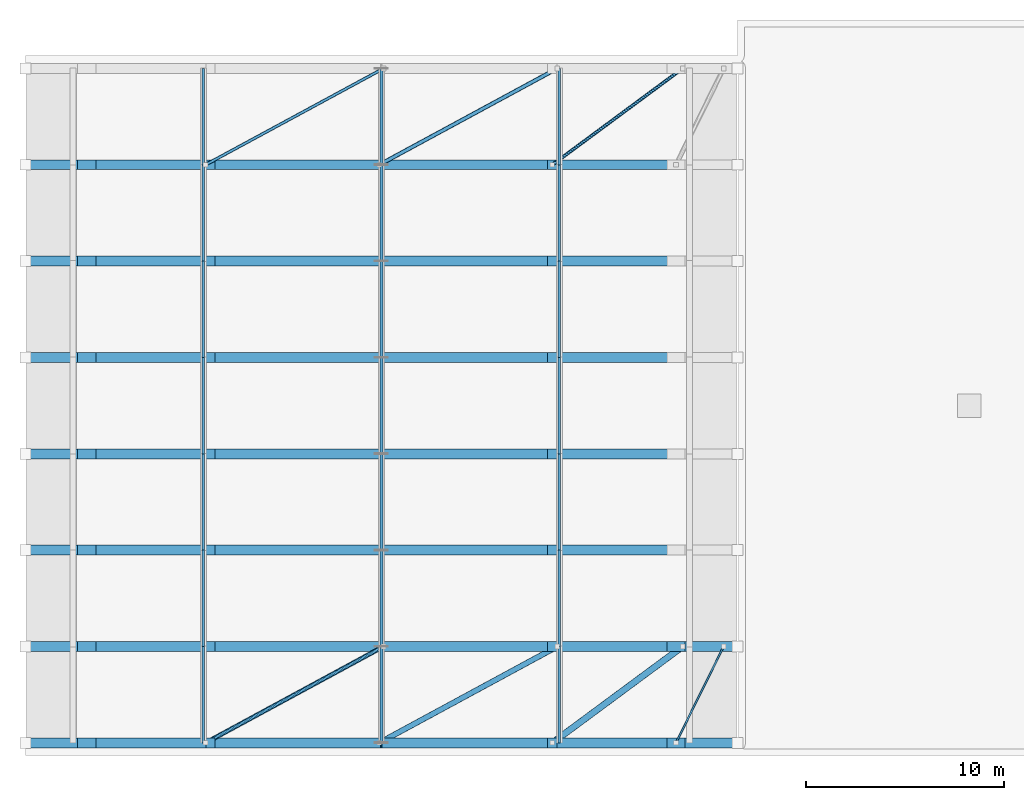
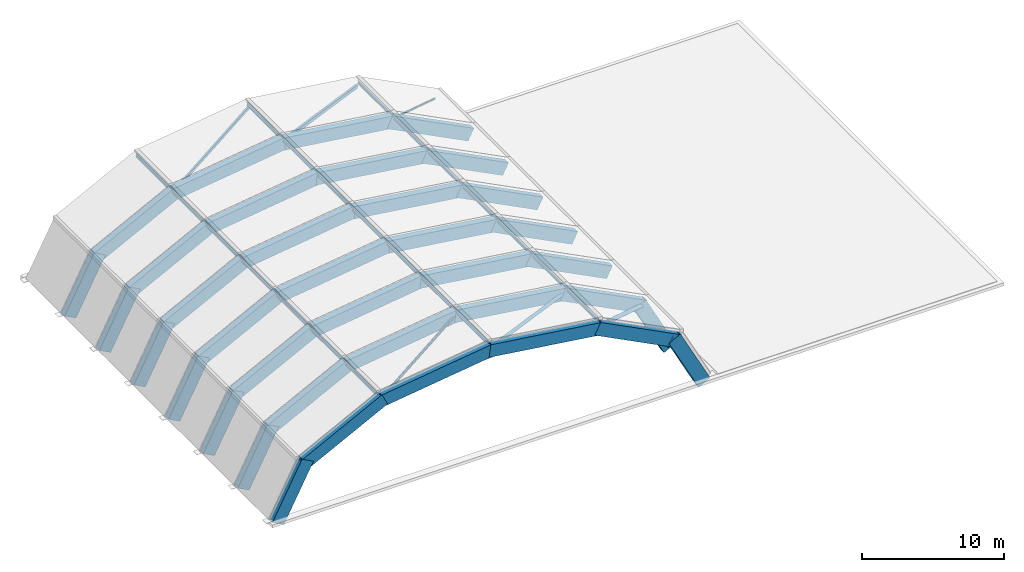
# One storey, part 1 of 4: 37 beams, 28 members.
"""IFC4 building model written with IfcOpenShell, lengths in metres."""

from ifc_helpers import new_model, si_unit, direction, frame, origin, origin_2d, place, context, subcontext, project, spatial, rectangle, hollow_rectangle, hollow_circle, i_section, extrude, material, material_profile, profile_set, type_object, element, save


model = new_model("IFC4")

# Units and contexts
model_context = context("Model", 3, precision=1e-05, world=origin(), true_north=direction((0.0, 1.0)))
body_context = subcontext(model_context, "Body", "Model", "MODEL_VIEW")
ifc_project = project(units=[si_unit("LENGTHUNIT", "METRE"), si_unit("AREAUNIT", "SQUARE_METRE"), si_unit("VOLUMEUNIT", "CUBIC_METRE"), si_unit("PLANEANGLEUNIT", "RADIAN"), si_unit("MASSUNIT", "GRAM", prefix="KILO")], contexts=[model_context])

# Site, building, storey
site_placement = place(None, origin())
site = spatial("IfcSite", under=ifc_project, at=site_placement, CompositionType="ELEMENT")
building_placement = place(site_placement, origin())
building = spatial("IfcBuilding", under=site, at=building_placement, Name="Mithqara Police Headquarters", CompositionType="ELEMENT")
storey_placement = place(building_placement, frame((0.0, 0.0, 35.39990234375)))
storey = spatial("IfcBuildingStorey", under=building, at=storey_placement, Name="ROOF", CompositionType="ELEMENT", Elevation=35.39990234375)

# Members
ifc_material_1 = material(Name="Steel S355JR", Category="steel")
ifc_material_profile_1 = material_profile(ifc_material_1, hollow_circle(Radius=0.084228515625, WallThickness=0.008056640625, at=origin_2d()), Name="CHS 168.3x8.0")
ifc_profile_set_1 = profile_set([ifc_material_profile_1], Name="Steel S355JR")
member_type_1 = type_object("IfcMemberType", Name="BRACE CHS168", PredefinedType="BRACE", material=ifc_profile_set_1)
member_1_placement = place(storey_placement, frame((135.24267578125, 108.478515625, 7.2685546875), z_axis=(0.743720948931, 0.549902094155, -0.380114241991), x_axis=(-0.594527606442, 0.804075198709, 0.0)))
element("IfcMember", 1, at=member_1_placement, inside=storey, type_object=member_type_1, Name="Command and Control Room Barrel Vault Vault Wind Brace Bay 7 Facet 5", PredefinedType="BRACE", context=body_context, shape_type="SweptSolid", body=[
    extrude(hollow_circle(Radius=0.084228515625, WallThickness=0.008056640625, at=origin_2d()), origin(), (0.0, 0.0, 1.0), 8.85888671875),
])
ifc_material_profile_2 = material_profile(ifc_material_1, hollow_circle(Radius=0.109619140625, WallThickness=0.010009765625, at=origin_2d()), Name="CHS 219.1x10.0")
ifc_profile_set_2 = profile_set([ifc_material_profile_2], Name="Steel S355JR")
member_type_2 = type_object("IfcMemberType", Name="BRACE CHS219", PredefinedType="BRACE", material=ifc_profile_set_2)
member_2_placement = place(storey_placement, frame((117.70654296875, 79.25, 7.189697265625), z_axis=(0.873130722221, 0.472590530069, 0.119586507609), x_axis=(-0.476006454939, 0.87944178594, 0.0)))
element("IfcMember", 2, at=member_2_placement, inside=storey, type_object=member_type_2, Name="Command and Control Room Barrel Vault Vault Wind Brace Bay 1 Facet 3", PredefinedType="BRACE", context=body_context, shape_type="SweptSolid", body=[
    extrude(hollow_circle(Radius=0.109619140625, WallThickness=0.010009765625, at=origin_2d()), origin(), (0.0, 0.0, 1.0), 10.3076171875),
])
ifc_material_profile_3 = material_profile(ifc_material_1, hollow_circle(Radius=0.136474609375, WallThickness=0.012451171875, at=origin_2d()), Name="CHS 273.0x12.5")
ifc_profile_set_3 = profile_set([ifc_material_profile_3], Name="Steel S355JR")
member_type_3 = type_object("IfcMemberType", Name="BRACE CHS273", PredefinedType="BRACE", material=ifc_profile_set_3)
member_3_placement = place(storey_placement, frame((126.493408203125, 79.25, 8.42236328125), z_axis=(0.873130722221, 0.472590530069, -0.119586507609), x_axis=(-0.476006454939, 0.87944178594, 0.0)))
element("IfcMember", 3, at=member_3_placement, inside=storey, type_object=member_type_3, Name="Command and Control Room Barrel Vault Vault Wind Brace Bay 1 Facet 4", PredefinedType="BRACE", context=body_context, shape_type="SweptSolid", body=[
    extrude(hollow_circle(Radius=0.136474609375, WallThickness=0.012451171875, at=origin_2d()), origin(), (0.0, 0.0, 1.0), 10.3076171875),
])
ifc_material_profile_4 = material_profile(ifc_material_1, hollow_circle(Radius=0.161865234375, WallThickness=0.012451171875, at=origin_2d()), Name="CHS 323.9x12.5")
ifc_profile_set_4 = profile_set([ifc_material_profile_4], Name="Steel S355JR")
member_type_4 = type_object("IfcMemberType", Name="BRACE CHS324", PredefinedType="BRACE", material=ifc_profile_set_4)
member_4_placement = place(storey_placement, frame((135.24267578125, 79.25, 7.2685546875), z_axis=(0.743732219602, 0.549882868705, -0.380120002408), x_axis=(-0.594508342421, 0.804089442035, 0.0)))
element("IfcMember", 4, at=member_4_placement, inside=storey, type_object=member_type_4, Name="Command and Control Room Barrel Vault Vault Wind Brace Bay 1 Facet 5", PredefinedType="BRACE", context=body_context, shape_type="SweptSolid", body=[
    extrude(hollow_circle(Radius=0.161865234375, WallThickness=0.012451171875, at=origin_2d()), origin(), (0.0, 0.0, 1.0), 8.85888671875),
])
ifc_material_profile_5 = material_profile(ifc_material_1, hollow_rectangle(XDim=0.10009765625, YDim=0.199951171875, WallThickness=0.008056640625, InnerFilletRadius=0.008056640625, OuterFilletRadius=0.01611328125, at=origin_2d()), Name="RHS 200x100x8.0")
ifc_profile_set_5 = profile_set([ifc_material_profile_5], Name="Steel S355JR")
member_type_5 = type_object("IfcMemberType", Name="BRACE RHS200", PredefinedType="BRACE", material=ifc_profile_set_5)
member_5_placement = place(storey_placement, frame((141.4931640625, 79.25, 4.235595703125), z_axis=(0.338669585555, 0.684093363087, -0.646002463153), x_axis=(-0.896189841015, 0.443670788831, 0.0)))
element("IfcMember", 5, at=member_5_placement, inside=storey, type_object=member_type_5, Name="Command and Control Room Barrel Vault Vault Wind Brace Bay 1 Facet 6", PredefinedType="BRACE", context=body_context, shape_type="SweptSolid", body=[
    extrude(hollow_rectangle(XDim=0.10009765625, YDim=0.199951171875, WallThickness=0.008056640625, InnerFilletRadius=0.008056640625, OuterFilletRadius=0.01611328125, at=origin_2d()), origin(), (0.0, 0.0, 1.0), 7.120849609375),
])
ifc_material_profile_6 = material_profile(ifc_material_1, hollow_rectangle(XDim=0.14990234375, YDim=0.25, WallThickness=0.010009765625, InnerFilletRadius=0.010009765625, OuterFilletRadius=0.02001953125, at=origin_2d()), Name="RHS 250x150x10.0")
ifc_profile_set_6 = profile_set([ifc_material_profile_6], Name="Steel S355JR")
member_type_6 = type_object("IfcMemberType", Name="BRACE RHS250", PredefinedType="BRACE", material=ifc_profile_set_6)
member_6_placement = place(storey_placement, frame((117.70654296875, 108.478515625, 7.189697265625), z_axis=(0.873120948843, 0.472608925055, 0.119585169019), x_axis=(-0.476024905579, 0.8794317991, 0.0)))
element("IfcMember", 6, at=member_6_placement, inside=storey, type_object=member_type_6, Name="Command and Control Room Barrel Vault Vault Wind Brace Bay 7 Facet 3", PredefinedType="BRACE", context=body_context, shape_type="SweptSolid", body=[
    extrude(hollow_rectangle(XDim=0.14990234375, YDim=0.25, WallThickness=0.010009765625, InnerFilletRadius=0.010009765625, OuterFilletRadius=0.02001953125, at=origin_2d()), origin(), (0.0, 0.0, 1.0), 10.307861328125),
])
ifc_material_profile_7 = material_profile(ifc_material_1, hollow_rectangle(XDim=0.199951171875, YDim=0.300048828125, WallThickness=0.012451171875, InnerFilletRadius=0.012451171875, OuterFilletRadius=0.02490234375, at=origin_2d()), Name="RHS 300x200x12.5")
ifc_profile_set_7 = profile_set([ifc_material_profile_7], Name="Steel S355JR")
member_type_7 = type_object("IfcMemberType", Name="BRACE RHS300", PredefinedType="BRACE", material=ifc_profile_set_7)
member_7_placement = place(storey_placement, frame((126.493408203125, 108.478515625, 8.42236328125), z_axis=(0.873120948843, 0.472608925055, -0.119585169019), x_axis=(-0.476024905579, 0.8794317991, 0.0)))
element("IfcMember", 7, at=member_7_placement, inside=storey, type_object=member_type_7, Name="Command and Control Room Barrel Vault Vault Wind Brace Bay 7 Facet 4", PredefinedType="BRACE", context=body_context, shape_type="SweptSolid", body=[
    extrude(hollow_rectangle(XDim=0.199951171875, YDim=0.300048828125, WallThickness=0.012451171875, InnerFilletRadius=0.012451171875, OuterFilletRadius=0.02490234375, at=origin_2d()), origin(), (0.0, 0.0, 1.0), 10.307861328125),
])
ifc_material_profile_8 = material_profile(ifc_material_1, i_section(OverallWidth=0.1201171875, OverallDepth=0.239990234375, WebThickness=0.006103515625, FlangeThickness=0.009765625, FilletRadius=0.014892578125, at=origin_2d()), Name="IPE 240")
ifc_profile_set_8 = profile_set([ifc_material_profile_8], Name="Steel S355JR")
member_type_8 = type_object("IfcMemberType", Name="PURLIN IPE240", PredefinedType="PURLIN", material=ifc_profile_set_8)
for number, where, z_axis, x_axis, name in (
    (8, (117.60009765625, 79.25, 7.539794921875), (0.0, 1.0, 0.0), (-1.0, 0.0, 0.0), "Command and Control Room Barrel Vault Roof Purlin Bay 1.2"),
    (9, (135.60009765625, 79.25, 7.539794921875), (0.0, 1.0, 0.0), (-1.0, 0.0, 0.0), "Command and Control Room Barrel Vault Roof Purlin Bay 1.4"),
):
    element("IfcMember", number, at=place(storey_placement, frame(where, z_axis=z_axis, x_axis=x_axis)), inside=storey, type_object=member_type_8, Name=name, PredefinedType="PURLIN", context=body_context, shape_type="SweptSolid", body=[
        extrude(i_section(OverallWidth=0.1201171875, OverallDepth=0.239990234375, WebThickness=0.006103515625, FlangeThickness=0.009765625, FilletRadius=0.014892578125, at=origin_2d()), origin(), (0.0, 0.0, 1.0), 4.871337890625),
    ])
for number, where, z_axis, x_axis, name in (
    (10, (117.60009765625, 84.121337890625, 7.539794921875), (0.0, 1.0, 0.0), (-1.0, 0.0, 0.0), "Command and Control Room Barrel Vault Roof Purlin Bay 2.2"),
    (11, (135.60009765625, 84.121337890625, 7.539794921875), (0.0, 1.0, 0.0), (-1.0, 0.0, 0.0), "Command and Control Room Barrel Vault Roof Purlin Bay 2.4"),
):
    element("IfcMember", number, at=place(storey_placement, frame(where, z_axis=z_axis, x_axis=x_axis)), inside=storey, type_object=member_type_8, Name=name, PredefinedType="PURLIN", context=body_context, shape_type="SweptSolid", body=[
        extrude(i_section(OverallWidth=0.1201171875, OverallDepth=0.239990234375, WebThickness=0.006103515625, FlangeThickness=0.009765625, FilletRadius=0.014892578125, at=origin_2d()), origin(), (0.0, 0.0, 1.0), 4.87158203125),
    ])
for number, where, z_axis, x_axis, name in (
    (12, (117.60009765625, 88.992919921875, 7.539794921875), (0.0, 1.0, 0.0), (-1.0, 0.0, 0.0), "Command and Control Room Barrel Vault Roof Purlin Bay 3.2"),
    (13, (135.60009765625, 88.992919921875, 7.539794921875), (0.0, 1.0, 0.0), (-1.0, 0.0, 0.0), "Command and Control Room Barrel Vault Roof Purlin Bay 3.4"),
    (14, (117.60009765625, 93.8642578125, 7.539794921875), (0.0, 1.0, 0.0), (-1.0, 0.0, 0.0), "Command and Control Room Barrel Vault Roof Purlin Bay 4.2"),
    (15, (135.60009765625, 93.8642578125, 7.539794921875), (0.0, 1.0, 0.0), (-1.0, 0.0, 0.0), "Command and Control Room Barrel Vault Roof Purlin Bay 4.4"),
):
    element("IfcMember", number, at=place(storey_placement, frame(where, z_axis=z_axis, x_axis=x_axis)), inside=storey, type_object=member_type_8, Name=name, PredefinedType="PURLIN", context=body_context, shape_type="SweptSolid", body=[
        extrude(i_section(OverallWidth=0.1201171875, OverallDepth=0.239990234375, WebThickness=0.006103515625, FlangeThickness=0.009765625, FilletRadius=0.014892578125, at=origin_2d()), origin(), (0.0, 0.0, 1.0), 4.871337890625),
    ])
for number, where, z_axis, x_axis, name in (
    (16, (117.60009765625, 98.735595703125, 7.539794921875), (0.0, 1.0, 0.0), (-1.0, 0.0, 0.0), "Command and Control Room Barrel Vault Roof Purlin Bay 5.2"),
    (17, (135.60009765625, 98.735595703125, 7.539794921875), (0.0, 1.0, 0.0), (-1.0, 0.0, 0.0), "Command and Control Room Barrel Vault Roof Purlin Bay 5.4"),
):
    element("IfcMember", number, at=place(storey_placement, frame(where, z_axis=z_axis, x_axis=x_axis)), inside=storey, type_object=member_type_8, Name=name, PredefinedType="PURLIN", context=body_context, shape_type="SweptSolid", body=[
        extrude(i_section(OverallWidth=0.1201171875, OverallDepth=0.239990234375, WebThickness=0.006103515625, FlangeThickness=0.009765625, FilletRadius=0.014892578125, at=origin_2d()), origin(), (0.0, 0.0, 1.0), 4.87158203125),
    ])
for number, where, z_axis, x_axis, name in (
    (18, (117.60009765625, 103.607177734375, 7.539794921875), (0.0, 1.0, 0.0), (-1.0, 0.0, 0.0), "Command and Control Room Barrel Vault Roof Purlin Bay 6.2"),
    (19, (135.60009765625, 103.607177734375, 7.539794921875), (0.0, 1.0, 0.0), (-1.0, 0.0, 0.0), "Command and Control Room Barrel Vault Roof Purlin Bay 6.4"),
):
    element("IfcMember", number, at=place(storey_placement, frame(where, z_axis=z_axis, x_axis=x_axis)), inside=storey, type_object=member_type_8, Name=name, PredefinedType="PURLIN", context=body_context, shape_type="SweptSolid", body=[
        extrude(i_section(OverallWidth=0.1201171875, OverallDepth=0.239990234375, WebThickness=0.006103515625, FlangeThickness=0.009765625, FilletRadius=0.014892578125, at=origin_2d()), origin(), (0.0, 0.0, 1.0), 4.871337890625),
    ])
for number, where, z_axis, x_axis, name in (
    (20, (117.60009765625, 108.478515625, 7.539794921875), (0.0, 1.0, 0.0), (-1.0, 0.0, 0.0), "Command and Control Room Barrel Vault Roof Purlin Bay 7.2"),
    (21, (135.60009765625, 108.478515625, 7.539794921875), (0.0, 1.0, 0.0), (-1.0, 0.0, 0.0), "Command and Control Room Barrel Vault Roof Purlin Bay 7.4"),
):
    element("IfcMember", number, at=place(storey_placement, frame(where, z_axis=z_axis, x_axis=x_axis)), inside=storey, type_object=member_type_8, Name=name, PredefinedType="PURLIN", context=body_context, shape_type="SweptSolid", body=[
        extrude(i_section(OverallWidth=0.1201171875, OverallDepth=0.239990234375, WebThickness=0.006103515625, FlangeThickness=0.009765625, FilletRadius=0.014892578125, at=origin_2d()), origin(), (0.0, 0.0, 1.0), 4.87158203125),
    ])
ifc_material_profile_9 = material_profile(ifc_material_1, i_section(OverallWidth=0.135009765625, OverallDepth=0.27001953125, WebThickness=0.006591796875, FlangeThickness=0.01025390625, FilletRadius=0.014892578125, at=origin_2d()), Name="IPE 270")
ifc_profile_set_9 = profile_set([ifc_material_profile_9], Name="Steel S355JR")
member_type_9 = type_object("IfcMemberType", Name="PURLIN IPE270", PredefinedType="PURLIN", material=ifc_profile_set_9)
member_8_placement = place(storey_placement, frame((126.60009765625, 79.25, 8.8037109375), z_axis=(0.0, 1.0, 0.0), x_axis=(-1.0, 0.0, 0.0)))
element("IfcMember", 22, at=member_8_placement, inside=storey, type_object=member_type_9, Name="Command and Control Room Barrel Vault Roof Purlin Bay 1.3", PredefinedType="PURLIN", context=body_context, shape_type="SweptSolid", body=[
    extrude(i_section(OverallWidth=0.135009765625, OverallDepth=0.27001953125, WebThickness=0.006591796875, FlangeThickness=0.01025390625, FilletRadius=0.014892578125, at=origin_2d()), origin(), (0.0, 0.0, 1.0), 4.871337890625),
])
member_9_placement = place(storey_placement, frame((126.60009765625, 84.121337890625, 8.8037109375), z_axis=(0.0, 1.0, 0.0), x_axis=(-1.0, 0.0, 0.0)))
element("IfcMember", 23, at=member_9_placement, inside=storey, type_object=member_type_9, Name="Command and Control Room Barrel Vault Roof Purlin Bay 2.3", PredefinedType="PURLIN", context=body_context, shape_type="SweptSolid", body=[
    extrude(i_section(OverallWidth=0.135009765625, OverallDepth=0.27001953125, WebThickness=0.006591796875, FlangeThickness=0.01025390625, FilletRadius=0.014892578125, at=origin_2d()), origin(), (0.0, 0.0, 1.0), 4.87158203125),
])
for number, where, z_axis, x_axis, name in (
    (24, (126.60009765625, 88.992919921875, 8.8037109375), (0.0, 1.0, 0.0), (-1.0, 0.0, 0.0), "Command and Control Room Barrel Vault Roof Purlin Bay 3.3"),
    (25, (126.60009765625, 93.8642578125, 8.8037109375), (0.0, 1.0, 0.0), (-1.0, 0.0, 0.0), "Command and Control Room Barrel Vault Roof Purlin Bay 4.3"),
):
    element("IfcMember", number, at=place(storey_placement, frame(where, z_axis=z_axis, x_axis=x_axis)), inside=storey, type_object=member_type_9, Name=name, PredefinedType="PURLIN", context=body_context, shape_type="SweptSolid", body=[
        extrude(i_section(OverallWidth=0.135009765625, OverallDepth=0.27001953125, WebThickness=0.006591796875, FlangeThickness=0.01025390625, FilletRadius=0.014892578125, at=origin_2d()), origin(), (0.0, 0.0, 1.0), 4.871337890625),
    ])
member_10_placement = place(storey_placement, frame((126.60009765625, 98.735595703125, 8.8037109375), z_axis=(0.0, 1.0, 0.0), x_axis=(-1.0, 0.0, 0.0)))
element("IfcMember", 26, at=member_10_placement, inside=storey, type_object=member_type_9, Name="Command and Control Room Barrel Vault Roof Purlin Bay 5.3", PredefinedType="PURLIN", context=body_context, shape_type="SweptSolid", body=[
    extrude(i_section(OverallWidth=0.135009765625, OverallDepth=0.27001953125, WebThickness=0.006591796875, FlangeThickness=0.01025390625, FilletRadius=0.014892578125, at=origin_2d()), origin(), (0.0, 0.0, 1.0), 4.87158203125),
])
member_11_placement = place(storey_placement, frame((126.60009765625, 103.607177734375, 8.8037109375), z_axis=(0.0, 1.0, 0.0), x_axis=(-1.0, 0.0, 0.0)))
element("IfcMember", 27, at=member_11_placement, inside=storey, type_object=member_type_9, Name="Command and Control Room Barrel Vault Roof Purlin Bay 6.3", PredefinedType="PURLIN", context=body_context, shape_type="SweptSolid", body=[
    extrude(i_section(OverallWidth=0.135009765625, OverallDepth=0.27001953125, WebThickness=0.006591796875, FlangeThickness=0.01025390625, FilletRadius=0.014892578125, at=origin_2d()), origin(), (0.0, 0.0, 1.0), 4.871337890625),
])
member_12_placement = place(storey_placement, frame((126.60009765625, 108.478515625, 8.8037109375), z_axis=(0.0, 1.0, 0.0), x_axis=(-1.0, 0.0, 0.0)))
element("IfcMember", 28, at=member_12_placement, inside=storey, type_object=member_type_9, Name="Command and Control Room Barrel Vault Roof Purlin Bay 7.3", PredefinedType="PURLIN", context=body_context, shape_type="SweptSolid", body=[
    extrude(i_section(OverallWidth=0.135009765625, OverallDepth=0.27001953125, WebThickness=0.006591796875, FlangeThickness=0.01025390625, FilletRadius=0.014892578125, at=origin_2d()), origin(), (0.0, 0.0, 1.0), 4.87158203125),
])

# Beams
ifc_material_2 = material(Name="Concrete C50/60", Category="concrete")
ifc_material_profile_10 = material_profile(ifc_material_2, rectangle(XDim=0.5, YDim=1.050048828125, at=origin_2d()), Name="RIB 500x1050")
ifc_profile_set_10 = profile_set([ifc_material_profile_10], Name="Concrete C50/60")
beam_type = type_object("IfcBeamType", Name="VAULT RIB 500X1050", PredefinedType="BEAM", material=ifc_profile_set_10)
beam_1_placement = place(storey_placement, frame((109.29541015625, 79.25, -0.364501953125), z_axis=(0.464279223373, 0.0, 0.885688885977), x_axis=(0.0, 1.0, 0.0)))
element("IfcBeam", 29, at=beam_1_placement, inside=storey, type_object=beam_type, Name="Command and Control Room Barrel Vault Arch Rib 1 Chord 1", PredefinedType="BEAM", context=body_context, shape_type="SweptSolid", body=[
    extrude(rectangle(XDim=0.5, YDim=1.050048828125, at=origin_2d()), origin(), (0.0, 0.0, 1.0), 5.19384765625),
])
beam_2_placement = place(storey_placement, frame((111.368896484375, 79.25, 3.901123046875), z_axis=(0.890432602167, 0.0, 0.455115129389), x_axis=(0.0, 1.0, 0.0)))
element("IfcBeam", 30, at=beam_2_placement, inside=storey, type_object=beam_type, Name="Command and Control Room Barrel Vault Arch Rib 1 Chord 2", PredefinedType="BEAM", context=body_context, shape_type="SweptSolid", body=[
    extrude(rectangle(XDim=0.5, YDim=1.050048828125, at=origin_2d()), origin(), (0.0, 0.0, 1.0), 7.399169921875),
])
for number, where, z_axis, x_axis, name in (
    (31, (117.70654296875, 79.25, 7.189697265625), (0.990750513931, 0.0, 0.135696054276), (0.0, 1.0, 0.0), "Command and Control Room Barrel Vault Arch Rib 1 Chord 3"),
    (32, (126.493408203125, 79.25, 8.42236328125), (0.990750513931, 0.0, -0.135696054276), (0.0, 1.0, 0.0), "Command and Control Room Barrel Vault Arch Rib 1 Chord 4"),
):
    element("IfcBeam", number, at=place(storey_placement, frame(where, z_axis=z_axis, x_axis=x_axis)), inside=storey, type_object=beam_type, Name=name, PredefinedType="BEAM", context=body_context, shape_type="SweptSolid", body=[
        extrude(rectangle(XDim=0.5, YDim=1.050048828125, at=origin_2d()), origin(), (0.0, 0.0, 1.0), 9.083984375),
    ])
beam_3_placement = place(storey_placement, frame((135.24267578125, 79.25, 7.2685546875), z_axis=(0.890439436339, 0.0, -0.455101758085), x_axis=(0.0, 1.0, 0.0)))
element("IfcBeam", 33, at=beam_3_placement, inside=storey, type_object=beam_type, Name="Command and Control Room Barrel Vault Arch Rib 1 Chord 5", PredefinedType="BEAM", context=body_context, shape_type="SweptSolid", body=[
    extrude(rectangle(XDim=0.5, YDim=1.050048828125, at=origin_2d()), origin(), (0.0, 0.0, 1.0), 7.3994140625),
])
for number, where, z_axis, x_axis, name in (
    (34, (141.4931640625, 79.25, 4.235595703125), (0.464316095855, 0.0, -0.885669556398), (0.0, 1.0, 0.0), "Command and Control Room Barrel Vault Arch Rib 1 Chord 6"),
    (35, (109.29541015625, 84.121337890625, -0.364501953125), (0.464279223373, 0.0, 0.885688885977), (0.0, 1.0, 0.0), "Command and Control Room Barrel Vault Arch Rib 2 Chord 1"),
):
    element("IfcBeam", number, at=place(storey_placement, frame(where, z_axis=z_axis, x_axis=x_axis)), inside=storey, type_object=beam_type, Name=name, PredefinedType="BEAM", context=body_context, shape_type="SweptSolid", body=[
        extrude(rectangle(XDim=0.5, YDim=1.050048828125, at=origin_2d()), origin(), (0.0, 0.0, 1.0), 5.19384765625),
    ])
beam_4_placement = place(storey_placement, frame((111.368896484375, 84.121337890625, 3.901123046875), z_axis=(0.890432602167, 0.0, 0.455115129389), x_axis=(0.0, 1.0, 0.0)))
element("IfcBeam", 36, at=beam_4_placement, inside=storey, type_object=beam_type, Name="Command and Control Room Barrel Vault Arch Rib 2 Chord 2", PredefinedType="BEAM", context=body_context, shape_type="SweptSolid", body=[
    extrude(rectangle(XDim=0.5, YDim=1.050048828125, at=origin_2d()), origin(), (0.0, 0.0, 1.0), 7.399169921875),
])
for number, where, z_axis, x_axis, name in (
    (37, (117.70654296875, 84.121337890625, 7.189697265625), (0.990750513931, 0.0, 0.135696054276), (0.0, 1.0, 0.0), "Command and Control Room Barrel Vault Arch Rib 2 Chord 3"),
    (38, (126.493408203125, 84.121337890625, 8.42236328125), (0.990750513931, 0.0, -0.135696054276), (0.0, 1.0, 0.0), "Command and Control Room Barrel Vault Arch Rib 2 Chord 4"),
):
    element("IfcBeam", number, at=place(storey_placement, frame(where, z_axis=z_axis, x_axis=x_axis)), inside=storey, type_object=beam_type, Name=name, PredefinedType="BEAM", context=body_context, shape_type="SweptSolid", body=[
        extrude(rectangle(XDim=0.5, YDim=1.050048828125, at=origin_2d()), origin(), (0.0, 0.0, 1.0), 9.083984375),
    ])
beam_5_placement = place(storey_placement, frame((135.24267578125, 84.121337890625, 7.2685546875), z_axis=(0.890439436339, 0.0, -0.455101758085), x_axis=(0.0, 1.0, 0.0)))
element("IfcBeam", 39, at=beam_5_placement, inside=storey, type_object=beam_type, Name="Command and Control Room Barrel Vault Arch Rib 2 Chord 5", PredefinedType="BEAM", context=body_context, shape_type="SweptSolid", body=[
    extrude(rectangle(XDim=0.5, YDim=1.050048828125, at=origin_2d()), origin(), (0.0, 0.0, 1.0), 7.3994140625),
])
for number, where, z_axis, x_axis, name in (
    (40, (141.4931640625, 84.121337890625, 4.235595703125), (0.464316095855, 0.0, -0.885669556398), (0.0, 1.0, 0.0), "Command and Control Room Barrel Vault Arch Rib 2 Chord 6"),
    (41, (109.29541015625, 88.992919921875, -0.364501953125), (0.464279223373, 0.0, 0.885688885977), (0.0, 1.0, 0.0), "Command and Control Room Barrel Vault Arch Rib 3 Chord 1"),
):
    element("IfcBeam", number, at=place(storey_placement, frame(where, z_axis=z_axis, x_axis=x_axis)), inside=storey, type_object=beam_type, Name=name, PredefinedType="BEAM", context=body_context, shape_type="SweptSolid", body=[
        extrude(rectangle(XDim=0.5, YDim=1.050048828125, at=origin_2d()), origin(), (0.0, 0.0, 1.0), 5.19384765625),
    ])
beam_6_placement = place(storey_placement, frame((111.368896484375, 88.992919921875, 3.901123046875), z_axis=(0.890432602167, 0.0, 0.455115129389), x_axis=(0.0, 1.0, 0.0)))
element("IfcBeam", 42, at=beam_6_placement, inside=storey, type_object=beam_type, Name="Command and Control Room Barrel Vault Arch Rib 3 Chord 2", PredefinedType="BEAM", context=body_context, shape_type="SweptSolid", body=[
    extrude(rectangle(XDim=0.5, YDim=1.050048828125, at=origin_2d()), origin(), (0.0, 0.0, 1.0), 7.399169921875),
])
for number, where, z_axis, x_axis, name in (
    (43, (117.70654296875, 88.992919921875, 7.189697265625), (0.990750513931, 0.0, 0.135696054276), (0.0, 1.0, 0.0), "Command and Control Room Barrel Vault Arch Rib 3 Chord 3"),
    (44, (126.493408203125, 88.992919921875, 8.42236328125), (0.990750513931, 0.0, -0.135696054276), (0.0, 1.0, 0.0), "Command and Control Room Barrel Vault Arch Rib 3 Chord 4"),
):
    element("IfcBeam", number, at=place(storey_placement, frame(where, z_axis=z_axis, x_axis=x_axis)), inside=storey, type_object=beam_type, Name=name, PredefinedType="BEAM", context=body_context, shape_type="SweptSolid", body=[
        extrude(rectangle(XDim=0.5, YDim=1.050048828125, at=origin_2d()), origin(), (0.0, 0.0, 1.0), 9.083984375),
    ])
beam_7_placement = place(storey_placement, frame((135.24267578125, 88.992919921875, 7.2685546875), z_axis=(0.890439436339, 0.0, -0.455101758085), x_axis=(0.0, 1.0, 0.0)))
element("IfcBeam", 45, at=beam_7_placement, inside=storey, type_object=beam_type, Name="Command and Control Room Barrel Vault Arch Rib 3 Chord 5", PredefinedType="BEAM", context=body_context, shape_type="SweptSolid", body=[
    extrude(rectangle(XDim=0.5, YDim=1.050048828125, at=origin_2d()), origin(), (0.0, 0.0, 1.0), 7.3994140625),
])
beam_8_placement = place(storey_placement, frame((109.29541015625, 93.8642578125, -0.364501953125), z_axis=(0.464279223373, 0.0, 0.885688885977), x_axis=(0.0, 1.0, 0.0)))
element("IfcBeam", 46, at=beam_8_placement, inside=storey, type_object=beam_type, Name="Command and Control Room Barrel Vault Arch Rib 4 Chord 1", PredefinedType="BEAM", context=body_context, shape_type="SweptSolid", body=[
    extrude(rectangle(XDim=0.5, YDim=1.050048828125, at=origin_2d()), origin(), (0.0, 0.0, 1.0), 5.19384765625),
])
beam_9_placement = place(storey_placement, frame((111.368896484375, 93.8642578125, 3.901123046875), z_axis=(0.890432602167, 0.0, 0.455115129389), x_axis=(0.0, 1.0, 0.0)))
element("IfcBeam", 47, at=beam_9_placement, inside=storey, type_object=beam_type, Name="Command and Control Room Barrel Vault Arch Rib 4 Chord 2", PredefinedType="BEAM", context=body_context, shape_type="SweptSolid", body=[
    extrude(rectangle(XDim=0.5, YDim=1.050048828125, at=origin_2d()), origin(), (0.0, 0.0, 1.0), 7.399169921875),
])
for number, where, z_axis, x_axis, name in (
    (48, (117.70654296875, 93.8642578125, 7.189697265625), (0.990750513931, 0.0, 0.135696054276), (0.0, 1.0, 0.0), "Command and Control Room Barrel Vault Arch Rib 4 Chord 3"),
    (49, (126.493408203125, 93.8642578125, 8.42236328125), (0.990750513931, 0.0, -0.135696054276), (0.0, 1.0, 0.0), "Command and Control Room Barrel Vault Arch Rib 4 Chord 4"),
):
    element("IfcBeam", number, at=place(storey_placement, frame(where, z_axis=z_axis, x_axis=x_axis)), inside=storey, type_object=beam_type, Name=name, PredefinedType="BEAM", context=body_context, shape_type="SweptSolid", body=[
        extrude(rectangle(XDim=0.5, YDim=1.050048828125, at=origin_2d()), origin(), (0.0, 0.0, 1.0), 9.083984375),
    ])
beam_10_placement = place(storey_placement, frame((135.24267578125, 93.8642578125, 7.2685546875), z_axis=(0.890439436339, 0.0, -0.455101758085), x_axis=(0.0, 1.0, 0.0)))
element("IfcBeam", 50, at=beam_10_placement, inside=storey, type_object=beam_type, Name="Command and Control Room Barrel Vault Arch Rib 4 Chord 5", PredefinedType="BEAM", context=body_context, shape_type="SweptSolid", body=[
    extrude(rectangle(XDim=0.5, YDim=1.050048828125, at=origin_2d()), origin(), (0.0, 0.0, 1.0), 7.3994140625),
])
beam_11_placement = place(storey_placement, frame((109.29541015625, 98.735595703125, -0.364501953125), z_axis=(0.464279223373, 0.0, 0.885688885977), x_axis=(0.0, 1.0, 0.0)))
element("IfcBeam", 51, at=beam_11_placement, inside=storey, type_object=beam_type, Name="Command and Control Room Barrel Vault Arch Rib 5 Chord 1", PredefinedType="BEAM", context=body_context, shape_type="SweptSolid", body=[
    extrude(rectangle(XDim=0.5, YDim=1.050048828125, at=origin_2d()), origin(), (0.0, 0.0, 1.0), 5.19384765625),
])
beam_12_placement = place(storey_placement, frame((111.368896484375, 98.735595703125, 3.901123046875), z_axis=(0.890432602167, 0.0, 0.455115129389), x_axis=(0.0, 1.0, 0.0)))
element("IfcBeam", 52, at=beam_12_placement, inside=storey, type_object=beam_type, Name="Command and Control Room Barrel Vault Arch Rib 5 Chord 2", PredefinedType="BEAM", context=body_context, shape_type="SweptSolid", body=[
    extrude(rectangle(XDim=0.5, YDim=1.050048828125, at=origin_2d()), origin(), (0.0, 0.0, 1.0), 7.399169921875),
])
for number, where, z_axis, x_axis, name in (
    (53, (117.70654296875, 98.735595703125, 7.189697265625), (0.990750513931, 0.0, 0.135696054276), (0.0, 1.0, 0.0), "Command and Control Room Barrel Vault Arch Rib 5 Chord 3"),
    (54, (126.493408203125, 98.735595703125, 8.42236328125), (0.990750513931, 0.0, -0.135696054276), (0.0, 1.0, 0.0), "Command and Control Room Barrel Vault Arch Rib 5 Chord 4"),
):
    element("IfcBeam", number, at=place(storey_placement, frame(where, z_axis=z_axis, x_axis=x_axis)), inside=storey, type_object=beam_type, Name=name, PredefinedType="BEAM", context=body_context, shape_type="SweptSolid", body=[
        extrude(rectangle(XDim=0.5, YDim=1.050048828125, at=origin_2d()), origin(), (0.0, 0.0, 1.0), 9.083984375),
    ])
beam_13_placement = place(storey_placement, frame((135.24267578125, 98.735595703125, 7.2685546875), z_axis=(0.890439436339, 0.0, -0.455101758085), x_axis=(0.0, 1.0, 0.0)))
element("IfcBeam", 55, at=beam_13_placement, inside=storey, type_object=beam_type, Name="Command and Control Room Barrel Vault Arch Rib 5 Chord 5", PredefinedType="BEAM", context=body_context, shape_type="SweptSolid", body=[
    extrude(rectangle(XDim=0.5, YDim=1.050048828125, at=origin_2d()), origin(), (0.0, 0.0, 1.0), 7.3994140625),
])
beam_14_placement = place(storey_placement, frame((109.29541015625, 103.607177734375, -0.364501953125), z_axis=(0.464279223373, 0.0, 0.885688885977), x_axis=(0.0, 1.0, 0.0)))
element("IfcBeam", 56, at=beam_14_placement, inside=storey, type_object=beam_type, Name="Command and Control Room Barrel Vault Arch Rib 6 Chord 1", PredefinedType="BEAM", context=body_context, shape_type="SweptSolid", body=[
    extrude(rectangle(XDim=0.5, YDim=1.050048828125, at=origin_2d()), origin(), (0.0, 0.0, 1.0), 5.19384765625),
])
beam_15_placement = place(storey_placement, frame((111.368896484375, 103.607177734375, 3.901123046875), z_axis=(0.890432602167, 0.0, 0.455115129389), x_axis=(0.0, 1.0, 0.0)))
element("IfcBeam", 57, at=beam_15_placement, inside=storey, type_object=beam_type, Name="Command and Control Room Barrel Vault Arch Rib 6 Chord 2", PredefinedType="BEAM", context=body_context, shape_type="SweptSolid", body=[
    extrude(rectangle(XDim=0.5, YDim=1.050048828125, at=origin_2d()), origin(), (0.0, 0.0, 1.0), 7.399169921875),
])
for number, where, z_axis, x_axis, name in (
    (58, (117.70654296875, 103.607177734375, 7.189697265625), (0.990750513931, 0.0, 0.135696054276), (0.0, 1.0, 0.0), "Command and Control Room Barrel Vault Arch Rib 6 Chord 3"),
    (59, (126.493408203125, 103.607177734375, 8.42236328125), (0.990750513931, 0.0, -0.135696054276), (0.0, 1.0, 0.0), "Command and Control Room Barrel Vault Arch Rib 6 Chord 4"),
):
    element("IfcBeam", number, at=place(storey_placement, frame(where, z_axis=z_axis, x_axis=x_axis)), inside=storey, type_object=beam_type, Name=name, PredefinedType="BEAM", context=body_context, shape_type="SweptSolid", body=[
        extrude(rectangle(XDim=0.5, YDim=1.050048828125, at=origin_2d()), origin(), (0.0, 0.0, 1.0), 9.083984375),
    ])
beam_16_placement = place(storey_placement, frame((135.24267578125, 103.607177734375, 7.2685546875), z_axis=(0.890439436339, 0.0, -0.455101758085), x_axis=(0.0, 1.0, 0.0)))
element("IfcBeam", 60, at=beam_16_placement, inside=storey, type_object=beam_type, Name="Command and Control Room Barrel Vault Arch Rib 6 Chord 5", PredefinedType="BEAM", context=body_context, shape_type="SweptSolid", body=[
    extrude(rectangle(XDim=0.5, YDim=1.050048828125, at=origin_2d()), origin(), (0.0, 0.0, 1.0), 7.3994140625),
])
beam_17_placement = place(storey_placement, frame((109.29541015625, 108.478515625, -0.364501953125), z_axis=(0.464279223373, 0.0, 0.885688885977), x_axis=(0.0, 1.0, 0.0)))
element("IfcBeam", 61, at=beam_17_placement, inside=storey, type_object=beam_type, Name="Command and Control Room Barrel Vault Arch Rib 7 Chord 1", PredefinedType="BEAM", context=body_context, shape_type="SweptSolid", body=[
    extrude(rectangle(XDim=0.5, YDim=1.050048828125, at=origin_2d()), origin(), (0.0, 0.0, 1.0), 5.19384765625),
])
beam_18_placement = place(storey_placement, frame((111.368896484375, 108.478515625, 3.901123046875), z_axis=(0.890432602167, 0.0, 0.455115129389), x_axis=(0.0, 1.0, 0.0)))
element("IfcBeam", 62, at=beam_18_placement, inside=storey, type_object=beam_type, Name="Command and Control Room Barrel Vault Arch Rib 7 Chord 2", PredefinedType="BEAM", context=body_context, shape_type="SweptSolid", body=[
    extrude(rectangle(XDim=0.5, YDim=1.050048828125, at=origin_2d()), origin(), (0.0, 0.0, 1.0), 7.399169921875),
])
for number, where, z_axis, x_axis, name in (
    (63, (117.70654296875, 108.478515625, 7.189697265625), (0.990750513931, 0.0, 0.135696054276), (0.0, 1.0, 0.0), "Command and Control Room Barrel Vault Arch Rib 7 Chord 3"),
    (64, (126.493408203125, 108.478515625, 8.42236328125), (0.990750513931, 0.0, -0.135696054276), (0.0, 1.0, 0.0), "Command and Control Room Barrel Vault Arch Rib 7 Chord 4"),
):
    element("IfcBeam", number, at=place(storey_placement, frame(where, z_axis=z_axis, x_axis=x_axis)), inside=storey, type_object=beam_type, Name=name, PredefinedType="BEAM", context=body_context, shape_type="SweptSolid", body=[
        extrude(rectangle(XDim=0.5, YDim=1.050048828125, at=origin_2d()), origin(), (0.0, 0.0, 1.0), 9.083984375),
    ])
beam_19_placement = place(storey_placement, frame((135.24267578125, 108.478515625, 7.2685546875), z_axis=(0.890439436339, 0.0, -0.455101758085), x_axis=(0.0, 1.0, 0.0)))
element("IfcBeam", 65, at=beam_19_placement, inside=storey, type_object=beam_type, Name="Command and Control Room Barrel Vault Arch Rib 7 Chord 5", PredefinedType="BEAM", context=body_context, shape_type="SweptSolid", body=[
    extrude(rectangle(XDim=0.5, YDim=1.050048828125, at=origin_2d()), origin(), (0.0, 0.0, 1.0), 7.3994140625),
])

save(model, "model.ifc")
